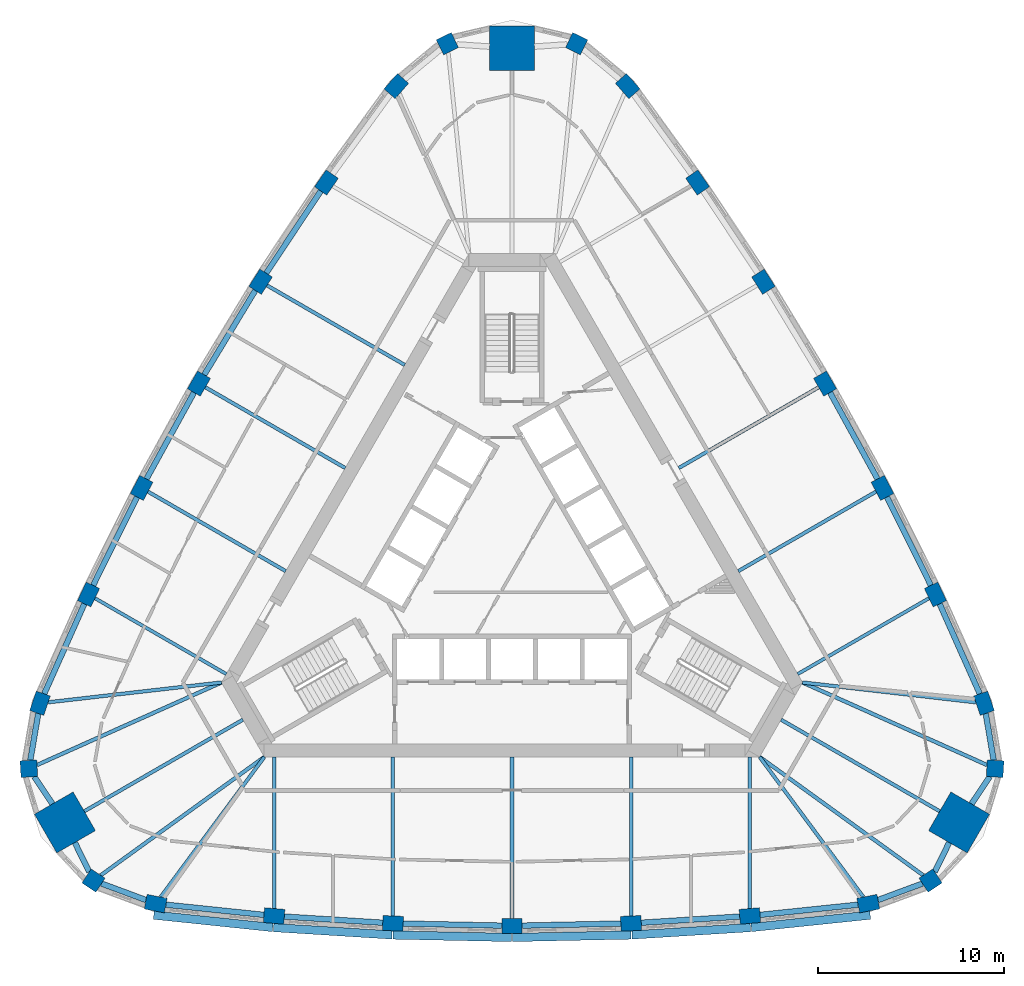
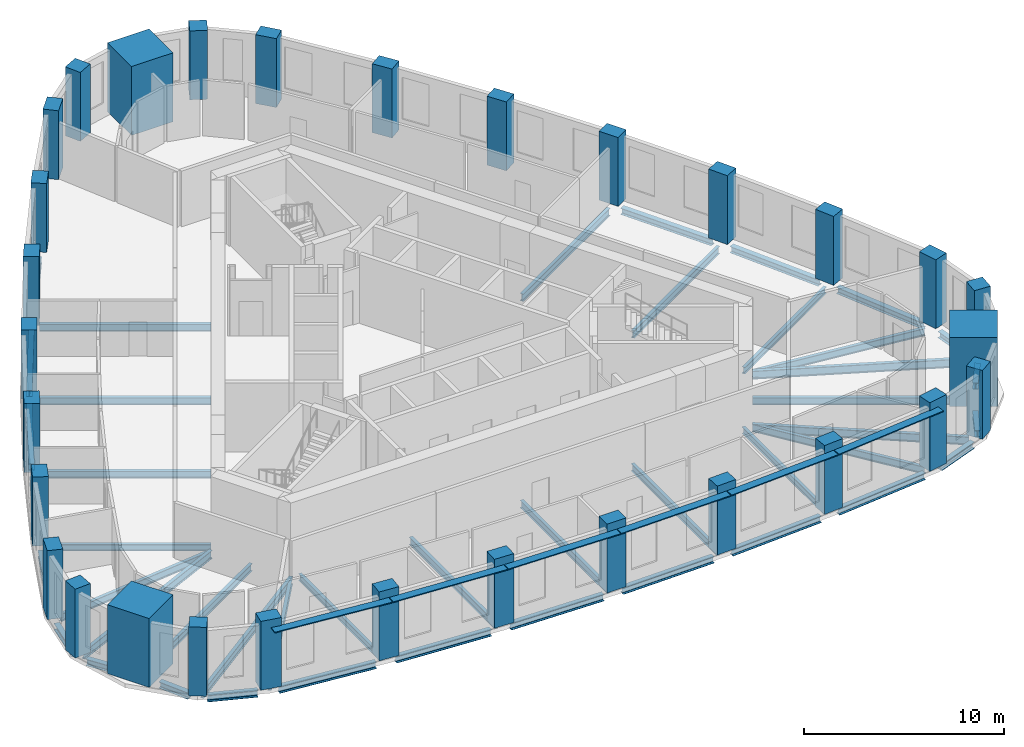
# One storey, part 1 of 11: 44 beams, 30 columns, 6 members.
"""IFC4 building model written with IfcOpenShell, lengths in metres."""

from ifc_helpers import new_model, si_unit, direction, frame, origin, origin_2d, place, context, subcontext, project, spatial, rectangle, i_section, extrude, material, material_profile, profile_set, type_object, element, save


model = new_model("IFC4")

# Units and contexts
model_context = context("Model", 3, precision=1e-05, world=origin(), true_north=direction((0.0, 1.0)))
body_context = subcontext(model_context, "Body", "Model", "MODEL_VIEW")
ifc_project = project(units=[si_unit("LENGTHUNIT", "METRE"), si_unit("AREAUNIT", "SQUARE_METRE"), si_unit("VOLUMEUNIT", "CUBIC_METRE"), si_unit("PLANEANGLEUNIT", "RADIAN"), si_unit("MASSUNIT", "GRAM", prefix="KILO")], contexts=[model_context])

# Site, building, storey
site_placement = place(None, origin())
site = spatial("IfcSite", under=ifc_project, at=site_placement, CompositionType="ELEMENT")
building_placement = place(site_placement, origin())
building = spatial("IfcBuilding", under=site, at=building_placement, Name="Mestral Congress Tower", CompositionType="ELEMENT")
storey_placement = place(building_placement, frame((0.0, 0.0, 252.0)))
storey = spatial("IfcBuildingStorey", under=building, at=storey_placement, Name="L59", CompositionType="ELEMENT", Elevation=252.0)

# Columns
ifc_material_1 = material(Name="Concrete C60/75", Category="concrete")
ifc_material_profile_1 = material_profile(ifc_material_1, rectangle(XDim=1.10009765625, YDim=0.800048828125, at=origin_2d()), Name="RC 1100x800")
ifc_profile_set_1 = profile_set([ifc_material_profile_1], Name="Concrete C60/75")
column_type_1 = type_object("IfcColumnType", Name="Column RC 1100x800 C60/75", PredefinedType="COLUMN", material=ifc_profile_set_1)
for number, where, z_axis, x_axis, name in (
    (1, (-19.150390625, -18.23681640625, 0.0), (0.0, 0.0, 1.0), (0.981324571854, -0.192359259395, 0.0), "COL-L59-C4-S00"),
    (2, (-12.785400390625, -18.899658203125, 0.0), (0.0, 0.0, 1.0), (0.996556680667, -0.082914306473, 0.0), "COL-L59-C4-S01"),
    (3, (-6.398193359375, -19.2978515625, 0.0), (0.0, 0.0, 1.0), (0.999138835542, -0.041492015025, 0.0), "COL-L59-C4-S02"),
    (4, (0.0, -19.4306640625, 0.0), (0.0, 0.0, 1.0), (1.0, 0.0, 0.0), "COL-L59-C4-S03"),
    (5, (6.398193359375, -19.2978515625, 0.0), (0.0, 0.0, 1.0), (0.999138835542, 0.041492015025, 0.0), "COL-L59-C4-S04"),
    (6, (12.785400390625, -18.899658203125, 0.0), (0.0, 0.0, 1.0), (0.996556680667, 0.082914306473, 0.0), "COL-L59-C4-S05"),
    (7, (19.150390625, -18.23681640625, 0.0), (0.0, 0.0, 1.0), (0.981324571854, 0.192359259395, 0.0), "COL-L59-C4-S06"),
    (8, (25.368896484375, -7.46630859375, 0.0), (0.0, 0.0, 1.0), (-0.324074280638, 0.946031638281, 0.0), "COL-L59-C4-E00"),
    (9, (22.76025390625, -1.62255859375, 0.0), (0.0, 0.0, 1.0), (-0.426472444591, 0.904500555005, 0.0), "COL-L59-C4-E01"),
    (10, (19.91162109375, 4.10791015625, 0.0), (0.0, 0.0, 1.0), (-0.463636278705, 0.886025621, 0.0), "COL-L59-C4-E02"),
    (11, (16.827392578125, 9.71533203125, 0.0), (0.0, 0.0, 1.0), (-0.5, 0.866025403784, 0.0), "COL-L59-C4-E03"),
    (12, (13.51318359375, 15.18994140625, 0.0), (0.0, 0.0, 1.0), (-0.535502556837, 0.844533605975, 0.0), "COL-L59-C4-E04"),
    (13, (9.974853515625, 20.522216796875, 0.0), (0.0, 0.0, 1.0), (-0.570084236076, 0.821586248532, 0.0), "COL-L59-C4-E05"),
    (14, (6.218505859375, 25.703125, 0.0), (0.0, 0.0, 1.0), (-0.657250291216, 0.753672378886, 0.0), "COL-L59-C4-E06"),
    (15, (-6.218505859375, 25.703125, 0.0), (0.0, 0.0, 1.0), (-0.657250291216, -0.753672378886, 0.0), "COL-L59-C4-W00"),
    (16, (-9.974853515625, 20.522216796875, 0.0), (0.0, 0.0, 1.0), (-0.570084236076, -0.821586248532, 0.0), "COL-L59-C4-W01"),
    (17, (-13.51318359375, 15.18994140625, 0.0), (0.0, 0.0, 1.0), (-0.535502556837, -0.844533605975, 0.0), "COL-L59-C4-W02"),
    (18, (-16.827392578125, 9.71533203125, 0.0), (0.0, 0.0, 1.0), (-0.5, -0.866025403784, 0.0), "COL-L59-C4-W03"),
    (19, (-19.91162109375, 4.10791015625, 0.0), (0.0, 0.0, 1.0), (-0.463636278705, -0.886025621, 0.0), "COL-L59-C4-W04"),
    (20, (-22.76025390625, -1.62255859375, 0.0), (0.0, 0.0, 1.0), (-0.426472444591, -0.904500555005, 0.0), "COL-L59-C4-W05"),
    (21, (-25.368896484375, -7.46630859375, 0.0), (0.0, 0.0, 1.0), (-0.324074280638, -0.946031638281, 0.0), "COL-L59-C4-W06"),
):
    element("IfcColumn", number, at=place(storey_placement, frame(where, z_axis=z_axis, x_axis=x_axis)), inside=storey, type_object=column_type_1, Name=name, PredefinedType="COLUMN", context=body_context, shape_type="SweptSolid", body=[
        extrude(rectangle(XDim=1.10009765625, YDim=0.800048828125, at=origin_2d()), origin(), (0.0, 0.0, 1.0), 4.199951171875),
    ])
ifc_material_profile_2 = material_profile(ifc_material_1, rectangle(XDim=0.89990234375, YDim=0.89990234375, at=origin_2d()), Name="RC 900x900")
ifc_profile_set_2 = profile_set([ifc_material_profile_2], Name="Concrete C60/75")
column_type_2 = type_object("IfcColumnType", Name="Column RC 900x900 C60/75", PredefinedType="COLUMN", material=ifc_profile_set_2)
for number, where, z_axis, x_axis, name in (
    (22, (22.494384765625, -16.99658203125, 0.0), (0.0, 0.0, 1.0), (0.833238868178, 0.552913183563, 0.0), "COL-L59-C4-SE1"),
    (23, (25.966552734375, -10.982421875, 0.0), (0.0, 0.0, 1.0), (0.062217428964, 0.998062619044, 0.0), "COL-L59-C4-SE3"),
    (24, (3.47216796875, 27.97900390625, 0.0), (0.0, 0.0, 1.0), (-0.895456297142, 0.445149435481, 0.0), "COL-L59-C4-N1"),
    (25, (-3.47216796875, 27.97900390625, 0.0), (0.0, 0.0, 1.0), (-0.895456297142, -0.445149435481, 0.0), "COL-L59-C4-N3"),
    (26, (-25.966552734375, -10.982421875, 0.0), (0.0, 0.0, 1.0), (0.062217428964, -0.998062619044, 0.0), "COL-L59-C4-SW1"),
    (27, (-22.494384765625, -16.99658203125, 0.0), (0.0, 0.0, 1.0), (0.833238868178, -0.552913183563, 0.0), "COL-L59-C4-SW3"),
):
    element("IfcColumn", number, at=place(storey_placement, frame(where, z_axis=z_axis, x_axis=x_axis)), inside=storey, type_object=column_type_2, Name=name, PredefinedType="COLUMN", context=body_context, shape_type="SweptSolid", body=[
        extrude(rectangle(XDim=0.89990234375, YDim=0.89990234375, at=origin_2d()), origin(), (0.0, 0.0, 1.0), 4.199951171875),
    ])
ifc_material_2 = material(Name="Concrete C70/85", Category="concrete")
ifc_material_profile_3 = material_profile(ifc_material_2, rectangle(XDim=2.39990234375, YDim=2.39990234375, at=origin_2d()), Name="RC 2400x2400")
ifc_profile_set_3 = profile_set([ifc_material_profile_3], Name="Concrete C70/85")
column_type_3 = type_object("IfcColumnType", Name="Mega column RC 2400x2400 C70/85", PredefinedType="COLUMN", material=ifc_profile_set_3)
for number, where, z_axis, x_axis, name in (
    (28, (24.02734375, -13.872314453125, 0.0), (0.0, 0.0, 1.0), (0.866025403784, -0.5, 0.0), "COL-L59-PY4-SE"),
    (29, (0.0, 27.744384765625, 0.0), (0.0, 0.0, 1.0), (0.0, 1.0, 0.0), "COL-L59-PY4-N"),
    (30, (-24.02734375, -13.872314453125, 0.0), (0.0, 0.0, 1.0), (-0.866025403784, -0.5, 0.0), "COL-L59-PY4-SW"),
):
    element("IfcColumn", number, at=place(storey_placement, frame(where, z_axis=z_axis, x_axis=x_axis)), inside=storey, type_object=column_type_3, Name=name, PredefinedType="COLUMN", context=body_context, shape_type="SweptSolid", body=[
        extrude(rectangle(XDim=2.39990234375, YDim=2.39990234375, at=origin_2d()), origin(), (0.0, 0.0, 1.0), 4.199951171875),
    ])

# Members
ifc_material_3 = material(Name="Glazed ceramic", Category="masonry")
ifc_material_profile_4 = material_profile(ifc_material_3, rectangle(XDim=0.449951171875, YDim=0.06005859375, at=origin_2d()), Name="Ceramic blade 450 x 60")
ifc_profile_set_4 = profile_set([ifc_material_profile_4], Name="Glazed ceramic")
member_type = type_object("IfcMemberType", Name="Facade sunshade blade 450 x 60", PredefinedType="USERDEFINED", material=ifc_profile_set_4)
member_1_placement = place(storey_placement, frame((-19.251708984375, -18.8544921875, 3.679931640625), z_axis=(0.994617919471, -0.103610782581, 0.0), x_axis=(0.103610782581, 0.994617919471, 0.0)))
element("IfcMember", 31, at=member_1_placement, inside=storey, type_object=member_type, Name="Sunshade F0-00", ObjectType="SUNSHADE", PredefinedType="USERDEFINED", context=body_context, shape_type="SweptSolid", body=[
    extrude(rectangle(XDim=0.449951171875, YDim=0.06005859375, at=origin_2d()), origin(), (0.0, 0.0, 1.0), 6.42578125),
])
member_2_placement = place(storey_placement, frame((-12.8134765625, -19.524169921875, 3.679931640625), z_axis=(0.99806373271, -0.062199561482, 0.0), x_axis=(0.062199561482, 0.99806373271, 0.0)))
element("IfcMember", 32, at=member_2_placement, inside=storey, type_object=member_type, Name="Sunshade F0-01", ObjectType="SUNSHADE", PredefinedType="USERDEFINED", context=body_context, shape_type="SweptSolid", body=[
    extrude(rectangle(XDim=0.449951171875, YDim=0.06005859375, at=origin_2d()), origin(), (0.0, 0.0, 1.0), 6.37841796875),
])
for number, where, z_axis, x_axis, name in (
    (33, (-6.400390625, -19.9228515625, 3.679931640625), (0.99978476383, -0.0207467109, 0.0), (0.0207467109, 0.99978476383, 0.0), "Sunshade F0-02"),
    (34, (0.023681640625, -20.05517578125, 3.679931640625), (0.99978476383, 0.0207467109, 0.0), (-0.0207467109, 0.99978476383, 0.0), "Sunshade F0-03"),
):
    element("IfcMember", number, at=place(storey_placement, frame(where, z_axis=z_axis, x_axis=x_axis)), inside=storey, type_object=member_type, Name=name, ObjectType="SUNSHADE", PredefinedType="USERDEFINED", context=body_context, shape_type="SweptSolid", body=[
        extrude(rectangle(XDim=0.449951171875, YDim=0.06005859375, at=origin_2d()), origin(), (0.0, 0.0, 1.0), 6.378173828125),
    ])
member_3_placement = place(storey_placement, frame((6.447509765625, -19.9208984375, 3.679931640625), z_axis=(0.99806373271, 0.062199561482, 0.0), x_axis=(-0.062199561482, 0.99806373271, 0.0)))
element("IfcMember", 35, at=member_3_placement, inside=storey, type_object=member_type, Name="Sunshade F0-04", ObjectType="SUNSHADE", PredefinedType="USERDEFINED", context=body_context, shape_type="SweptSolid", body=[
    extrude(rectangle(XDim=0.449951171875, YDim=0.06005859375, at=origin_2d()), origin(), (0.0, 0.0, 1.0), 6.37841796875),
])
member_4_placement = place(storey_placement, frame((12.860595703125, -19.520263671875, 3.679931640625), z_axis=(0.994617919471, 0.103610782581, 0.0), x_axis=(-0.103610782581, 0.994617919471, 0.0)))
element("IfcMember", 36, at=member_4_placement, inside=storey, type_object=member_type, Name="Sunshade F0-05", ObjectType="SUNSHADE", PredefinedType="USERDEFINED", context=body_context, shape_type="SweptSolid", body=[
    extrude(rectangle(XDim=0.449951171875, YDim=0.06005859375, at=origin_2d()), origin(), (0.0, 0.0, 1.0), 6.42578125),
])

# Beams
ifc_material_4 = material(Name="Steel S355", Category="steel")
ifc_material_profile_5 = material_profile(ifc_material_4, i_section(OverallWidth=0.179931640625, OverallDepth=0.39990234375, WebThickness=0.008544921875, FlangeThickness=0.013427734375, FilletRadius=0.02099609375, at=origin_2d()), Name="IPE 400")
ifc_profile_set_5 = profile_set([ifc_material_profile_5], Name="Steel S355")
beam_type_1 = type_object("IfcBeamType", Name="Floor beam IPE 400 S355", PredefinedType="BEAM", material=ifc_profile_set_5)
for number, where, z_axis, x_axis, name in (
    (37, (-12.785400390625, -18.498291015625, -0.449951171875), (0.0, 1.0, 0.0), (-1.0, 0.0, 0.0), "BM-L59-RB4-S01"),
    (38, (12.785400390625, -18.498291015625, -0.449951171875), (0.0, 1.0, 0.0), (-1.0, 0.0, 0.0), "BM-L59-RB4-S05"),
):
    element("IfcBeam", number, at=place(storey_placement, frame(where, z_axis=z_axis, x_axis=x_axis)), inside=storey, type_object=beam_type_1, Name=name, PredefinedType="BEAM", context=body_context, shape_type="SweptSolid", body=[
        extrude(i_section(OverallWidth=0.179931640625, OverallDepth=0.39990234375, WebThickness=0.008544921875, FlangeThickness=0.013427734375, FilletRadius=0.02099609375, at=origin_2d()), origin(), (0.0, 0.0, 1.0), 8.148193359375),
    ])
for number, where, z_axis, x_axis, name in (
    (39, (22.41259765625, -1.8232421875, -0.449951171875), (-0.866021929094, -0.500006018292, 0.0), (0.500006018292, -0.866021929094, 0.0), "BM-L59-RB4-E01"),
    (40, (-22.41259765625, -1.8232421875, -0.449951171875), (0.866021929094, -0.500006018292, 0.0), (0.500006018292, 0.866021929094, 0.0), "BM-L59-RB4-W05"),
):
    element("IfcBeam", number, at=place(storey_placement, frame(where, z_axis=z_axis, x_axis=x_axis)), inside=storey, type_object=beam_type_1, Name=name, PredefinedType="BEAM", context=body_context, shape_type="SweptSolid", body=[
        extrude(i_section(OverallWidth=0.179931640625, OverallDepth=0.39990234375, WebThickness=0.008544921875, FlangeThickness=0.013427734375, FilletRadius=0.02099609375, at=origin_2d()), origin(), (0.0, 0.0, 1.0), 8.1484375),
    ])
ifc_material_profile_6 = material_profile(ifc_material_4, i_section(OverallWidth=0.18994140625, OverallDepth=0.449951171875, WebThickness=0.009521484375, FlangeThickness=0.0146484375, FilletRadius=0.02099609375, at=origin_2d()), Name="IPE 450")
ifc_profile_set_6 = profile_set([ifc_material_profile_6], Name="Steel S355")
beam_type_2 = type_object("IfcBeamType", Name="Floor beam IPE 450 S355", PredefinedType="BEAM", material=ifc_profile_set_6)
beam_1_placement = place(storey_placement, frame((-18.88671875, -17.880859375, -0.47509765625), z_axis=(0.595263059859, 0.803530888994, 0.0), x_axis=(-0.803530888994, 0.595263059859, 0.0)))
element("IfcBeam", 41, at=beam_1_placement, inside=storey, type_object=beam_type_2, Name="BM-L59-RB4-S00", PredefinedType="BEAM", context=body_context, shape_type="SweptSolid", body=[
    extrude(i_section(OverallWidth=0.18994140625, OverallDepth=0.449951171875, WebThickness=0.009521484375, FlangeThickness=0.0146484375, FilletRadius=0.02099609375, at=origin_2d()), origin(), (0.0, 0.0, 1.0), 9.3720703125),
])
beam_2_placement = place(storey_placement, frame((-6.398193359375, -18.8974609375, -0.47509765625), z_axis=(0.0, 1.0, 0.0), x_axis=(-1.0, 0.0, 0.0)))
element("IfcBeam", 42, at=beam_2_placement, inside=storey, type_object=beam_type_2, Name="BM-L59-RB4-S02", PredefinedType="BEAM", context=body_context, shape_type="SweptSolid", body=[
    extrude(i_section(OverallWidth=0.18994140625, OverallDepth=0.449951171875, WebThickness=0.009521484375, FlangeThickness=0.0146484375, FilletRadius=0.02099609375, at=origin_2d()), origin(), (0.0, 0.0, 1.0), 8.54736328125),
])
beam_3_placement = place(storey_placement, frame((0.0, -19.030517578125, -0.47509765625), z_axis=(0.0, 1.0, 0.0), x_axis=(-1.0, 0.0, 0.0)))
element("IfcBeam", 43, at=beam_3_placement, inside=storey, type_object=beam_type_2, Name="BM-L59-RB4-S03", PredefinedType="BEAM", context=body_context, shape_type="SweptSolid", body=[
    extrude(i_section(OverallWidth=0.18994140625, OverallDepth=0.449951171875, WebThickness=0.009521484375, FlangeThickness=0.0146484375, FilletRadius=0.02099609375, at=origin_2d()), origin(), (0.0, 0.0, 1.0), 8.680419921875),
])
beam_4_placement = place(storey_placement, frame((6.398193359375, -18.8974609375, -0.47509765625), z_axis=(0.0, 1.0, 0.0), x_axis=(-1.0, 0.0, 0.0)))
element("IfcBeam", 44, at=beam_4_placement, inside=storey, type_object=beam_type_2, Name="BM-L59-RB4-S04", PredefinedType="BEAM", context=body_context, shape_type="SweptSolid", body=[
    extrude(i_section(OverallWidth=0.18994140625, OverallDepth=0.449951171875, WebThickness=0.009521484375, FlangeThickness=0.0146484375, FilletRadius=0.02099609375, at=origin_2d()), origin(), (0.0, 0.0, 1.0), 8.54736328125),
])
beam_5_placement = place(storey_placement, frame((18.88671875, -17.880859375, -0.47509765625), z_axis=(-0.595263059859, 0.803530888994, 0.0), x_axis=(-0.803530888994, -0.595263059859, 0.0)))
element("IfcBeam", 45, at=beam_5_placement, inside=storey, type_object=beam_type_2, Name="BM-L59-RB4-S06", PredefinedType="BEAM", context=body_context, shape_type="SweptSolid", body=[
    extrude(i_section(OverallWidth=0.18994140625, OverallDepth=0.449951171875, WebThickness=0.009521484375, FlangeThickness=0.0146484375, FilletRadius=0.02099609375, at=origin_2d()), origin(), (0.0, 0.0, 1.0), 9.3720703125),
])
beam_6_placement = place(storey_placement, frame((22.98828125, -13.272216796875, -0.47509765625), z_axis=(-0.866021631874, 0.500006533084, 0.0), x_axis=(-0.500006533084, -0.866021631874, 0.0)))
element("IfcBeam", 46, at=beam_6_placement, inside=storey, type_object=beam_type_2, Name="BM-L59-RB4-SE", PredefinedType="BEAM", context=body_context, shape_type="SweptSolid", body=[
    extrude(i_section(OverallWidth=0.18994140625, OverallDepth=0.449951171875, WebThickness=0.009521484375, FlangeThickness=0.0146484375, FilletRadius=0.02099609375, at=origin_2d()), origin(), (0.0, 0.0, 1.0), 9.844482421875),
])
beam_7_placement = place(storey_placement, frame((24.9287109375, -7.416015625, -0.47509765625), z_axis=(-0.99351166529, 0.11373025513, 0.0), x_axis=(-0.11373025513, -0.99351166529, 0.0)))
element("IfcBeam", 47, at=beam_7_placement, inside=storey, type_object=beam_type_2, Name="BM-L59-RB4-E00", PredefinedType="BEAM", context=body_context, shape_type="SweptSolid", body=[
    extrude(i_section(OverallWidth=0.18994140625, OverallDepth=0.449951171875, WebThickness=0.009521484375, FlangeThickness=0.0146484375, FilletRadius=0.02099609375, at=origin_2d()), origin(), (0.0, 0.0, 1.0), 9.372314453125),
])
beam_8_placement = place(storey_placement, frame((19.564697265625, 3.90771484375, -0.47509765625), z_axis=(-0.866028621479, -0.499994426748, 0.0), x_axis=(0.499994426748, -0.866028621479, 0.0)))
element("IfcBeam", 48, at=beam_8_placement, inside=storey, type_object=beam_type_2, Name="BM-L59-RB4-E02", PredefinedType="BEAM", context=body_context, shape_type="SweptSolid", body=[
    extrude(i_section(OverallWidth=0.18994140625, OverallDepth=0.449951171875, WebThickness=0.009521484375, FlangeThickness=0.0146484375, FilletRadius=0.02099609375, at=origin_2d()), origin(), (0.0, 0.0, 1.0), 8.54736328125),
])
beam_9_placement = place(storey_placement, frame((16.48095703125, 9.515380859375, -0.47509765625), z_axis=(-0.866022596503, -0.500004862322, 0.0), x_axis=(0.500004862322, -0.866022596503, 0.0)))
element("IfcBeam", 49, at=beam_9_placement, inside=storey, type_object=beam_type_2, Name="BM-L59-RB4-E03", PredefinedType="BEAM", context=body_context, shape_type="SweptSolid", body=[
    extrude(i_section(OverallWidth=0.18994140625, OverallDepth=0.449951171875, WebThickness=0.009521484375, FlangeThickness=0.0146484375, FilletRadius=0.02099609375, at=origin_2d()), origin(), (0.0, 0.0, 1.0), 8.6806640625),
])
beam_10_placement = place(storey_placement, frame((-13.16650390625, 14.98974609375, -0.47509765625), z_axis=(0.866028621479, -0.499994426748, 0.0), x_axis=(0.499994426748, 0.866028621479, 0.0)))
element("IfcBeam", 50, at=beam_10_placement, inside=storey, type_object=beam_type_2, Name="BM-L59-RB4-W02", PredefinedType="BEAM", context=body_context, shape_type="SweptSolid", body=[
    extrude(i_section(OverallWidth=0.18994140625, OverallDepth=0.449951171875, WebThickness=0.009521484375, FlangeThickness=0.0146484375, FilletRadius=0.02099609375, at=origin_2d()), origin(), (0.0, 0.0, 1.0), 8.54736328125),
])
beam_11_placement = place(storey_placement, frame((-16.48095703125, 9.515380859375, -0.47509765625), z_axis=(0.866022596503, -0.500004862322, 0.0), x_axis=(0.500004862322, 0.866022596503, 0.0)))
element("IfcBeam", 51, at=beam_11_placement, inside=storey, type_object=beam_type_2, Name="BM-L59-RB4-W03", PredefinedType="BEAM", context=body_context, shape_type="SweptSolid", body=[
    extrude(i_section(OverallWidth=0.18994140625, OverallDepth=0.449951171875, WebThickness=0.009521484375, FlangeThickness=0.0146484375, FilletRadius=0.02099609375, at=origin_2d()), origin(), (0.0, 0.0, 1.0), 8.6806640625),
])
beam_12_placement = place(storey_placement, frame((-19.564697265625, 3.90771484375, -0.47509765625), z_axis=(0.866028621479, -0.499994426748, 0.0), x_axis=(0.499994426748, 0.866028621479, 0.0)))
element("IfcBeam", 52, at=beam_12_placement, inside=storey, type_object=beam_type_2, Name="BM-L59-RB4-W04", PredefinedType="BEAM", context=body_context, shape_type="SweptSolid", body=[
    extrude(i_section(OverallWidth=0.18994140625, OverallDepth=0.449951171875, WebThickness=0.009521484375, FlangeThickness=0.0146484375, FilletRadius=0.02099609375, at=origin_2d()), origin(), (0.0, 0.0, 1.0), 8.54736328125),
])
beam_13_placement = place(storey_placement, frame((-24.9287109375, -7.416015625, -0.47509765625), z_axis=(0.99351166529, 0.11373025513, 0.0), x_axis=(-0.11373025513, 0.99351166529, 0.0)))
element("IfcBeam", 53, at=beam_13_placement, inside=storey, type_object=beam_type_2, Name="BM-L59-RB4-W06", PredefinedType="BEAM", context=body_context, shape_type="SweptSolid", body=[
    extrude(i_section(OverallWidth=0.18994140625, OverallDepth=0.449951171875, WebThickness=0.009521484375, FlangeThickness=0.0146484375, FilletRadius=0.02099609375, at=origin_2d()), origin(), (0.0, 0.0, 1.0), 9.372314453125),
])
beam_14_placement = place(storey_placement, frame((-22.98828125, -13.272216796875, -0.47509765625), z_axis=(0.866021631874, 0.500006533084, 0.0), x_axis=(-0.500006533084, 0.866021631874, 0.0)))
element("IfcBeam", 54, at=beam_14_placement, inside=storey, type_object=beam_type_2, Name="BM-L59-RB4-SW", PredefinedType="BEAM", context=body_context, shape_type="SweptSolid", body=[
    extrude(i_section(OverallWidth=0.18994140625, OverallDepth=0.449951171875, WebThickness=0.009521484375, FlangeThickness=0.0146484375, FilletRadius=0.02099609375, at=origin_2d()), origin(), (0.0, 0.0, 1.0), 9.844482421875),
])
ifc_material_profile_7 = material_profile(ifc_material_4, i_section(OverallWidth=0.199951171875, OverallDepth=0.5, WebThickness=0.01025390625, FlangeThickness=0.01611328125, FilletRadius=0.02099609375, at=origin_2d()), Name="IPE 500")
ifc_profile_set_7 = profile_set([ifc_material_profile_7], Name="Steel S355")
beam_type_3 = type_object("IfcBeamType", Name="Floor beam IPE 500 S355", PredefinedType="BEAM", material=ifc_profile_set_7)
beam_15_placement = place(storey_placement, frame((22.10498046875, -16.71484375, -0.5), z_axis=(-0.810186242112, 0.586172545496, 0.0), x_axis=(-0.586172545496, -0.810186242112, 0.0)))
element("IfcBeam", 55, at=beam_15_placement, inside=storey, type_object=beam_type_3, Name="BM-L59-RB4-SE1", PredefinedType="BEAM", context=body_context, shape_type="SweptSolid", body=[
    extrude(i_section(OverallWidth=0.199951171875, OverallDepth=0.5, WebThickness=0.01025390625, FlangeThickness=0.01611328125, FilletRadius=0.02099609375, at=origin_2d()), origin(), (0.0, 0.0, 1.0), 10.858154296875),
])
for number, where, z_axis, x_axis, name in (
    (56, (25.528076171875, -10.7861328125, -0.5), (-0.912742142995, 0.408536143323, 0.0), (-0.408536143323, -0.912742142995, 0.0), "BM-L59-RB4-SE3"),
    (57, (-25.528076171875, -10.7861328125, -0.5), (0.912742142995, 0.408536143323, 0.0), (-0.408536143323, 0.912742142995, 0.0), "BM-L59-RB4-SW1"),
):
    element("IfcBeam", number, at=place(storey_placement, frame(where, z_axis=z_axis, x_axis=x_axis)), inside=storey, type_object=beam_type_3, Name=name, PredefinedType="BEAM", context=body_context, shape_type="SweptSolid", body=[
        extrude(i_section(OverallWidth=0.199951171875, OverallDepth=0.5, WebThickness=0.01025390625, FlangeThickness=0.01611328125, FilletRadius=0.02099609375, at=origin_2d()), origin(), (0.0, 0.0, 1.0), 10.8583984375),
    ])
beam_16_placement = place(storey_placement, frame((-22.10498046875, -16.71484375, -0.5), z_axis=(0.810186242112, 0.586172545496, 0.0), x_axis=(-0.586172545496, 0.810186242112, 0.0)))
element("IfcBeam", 58, at=beam_16_placement, inside=storey, type_object=beam_type_3, Name="BM-L59-RB4-SW3", PredefinedType="BEAM", context=body_context, shape_type="SweptSolid", body=[
    extrude(i_section(OverallWidth=0.199951171875, OverallDepth=0.5, WebThickness=0.01025390625, FlangeThickness=0.01611328125, FilletRadius=0.02099609375, at=origin_2d()), origin(), (0.0, 0.0, 1.0), 10.858154296875),
])
ifc_material_profile_8 = material_profile(ifc_material_4, i_section(OverallWidth=0.300048828125, OverallDepth=0.389892578125, WebThickness=0.010986328125, FlangeThickness=0.01904296875, FilletRadius=0.027099609375, at=origin_2d()), Name="HEA 400")
ifc_profile_set_8 = profile_set([ifc_material_profile_8], Name="Steel S355")
beam_type_4 = type_object("IfcBeamType", Name="Spandrel beam HEA 400 S355", PredefinedType="BEAM", material=ifc_profile_set_8)
beam_17_placement = place(storey_placement, frame((-18.60107421875, -18.2939453125, -0.445068359375), z_axis=(0.994618013093, -0.103609883848, 0.0), x_axis=(0.103609883848, 0.994618013093, 0.0)))
element("IfcBeam", 59, at=beam_17_placement, inside=storey, type_object=beam_type_4, Name="SP-L59-SB4-S00", PredefinedType="BEAM", context=body_context, shape_type="SweptSolid", body=[
    extrude(i_section(OverallWidth=0.300048828125, OverallDepth=0.389892578125, WebThickness=0.010986328125, FlangeThickness=0.01904296875, FilletRadius=0.027099609375, at=origin_2d()), origin(), (0.0, 0.0, 1.0), 5.297119140625),
])
for number, where, z_axis, x_axis, name in (
    (60, (-12.236328125, -18.933837890625, -0.445068359375), (0.998061173507, -0.062240613248, 0.0), (0.062240613248, 0.998061173507, 0.0), "SP-L59-SB4-S01"),
    (61, (-5.84814453125, -19.309326171875, -0.445068359375), (0.999785070758, -0.020731914743, 0.0), (0.020731914743, 0.999785070758, 0.0), "SP-L59-SB4-S02"),
    (62, (0.550048828125, -19.419189453125, -0.445068359375), (0.999785070758, 0.020731914743, 0.0), (-0.020731914743, 0.999785070758, 0.0), "SP-L59-SB4-S03"),
    (63, (6.947265625, -19.263671875, -0.445068359375), (0.998061173507, 0.062240613248, 0.0), (-0.062240613248, 0.998061173507, 0.0), "SP-L59-SB4-S04"),
):
    element("IfcBeam", number, at=place(storey_placement, frame(where, z_axis=z_axis, x_axis=x_axis)), inside=storey, type_object=beam_type_4, Name=name, PredefinedType="BEAM", context=body_context, shape_type="SweptSolid", body=[
        extrude(i_section(OverallWidth=0.300048828125, OverallDepth=0.389892578125, WebThickness=0.010986328125, FlangeThickness=0.01904296875, FilletRadius=0.027099609375, at=origin_2d()), origin(), (0.0, 0.0, 1.0), 5.29931640625),
    ])
beam_18_placement = place(storey_placement, frame((13.33251953125, -18.8427734375, -0.445068359375), z_axis=(0.994618013093, 0.103609883848, 0.0), x_axis=(-0.103609883848, 0.994618013093, 0.0)))
element("IfcBeam", 64, at=beam_18_placement, inside=storey, type_object=beam_type_4, Name="SP-L59-SB4-S05", PredefinedType="BEAM", context=body_context, shape_type="SweptSolid", body=[
    extrude(i_section(OverallWidth=0.300048828125, OverallDepth=0.389892578125, WebThickness=0.010986328125, FlangeThickness=0.01904296875, FilletRadius=0.027099609375, at=origin_2d()), origin(), (0.0, 0.0, 1.0), 5.297119140625),
])
beam_19_placement = place(storey_placement, frame((19.6728515625, -18.04296875, -0.445068359375), z_axis=(0.937591421971, 0.347738875374, 0.0), x_axis=(-0.347738875374, 0.937591421971, 0.0)))
element("IfcBeam", 65, at=beam_19_placement, inside=storey, type_object=beam_type_4, Name="SP-L59-SB4-S06", PredefinedType="BEAM", context=body_context, shape_type="SweptSolid", body=[
    extrude(i_section(OverallWidth=0.300048828125, OverallDepth=0.389892578125, WebThickness=0.010986328125, FlangeThickness=0.01904296875, FilletRadius=0.027099609375, at=origin_2d()), origin(), (0.0, 0.0, 1.0), 2.547119140625),
])
for number, where, z_axis, x_axis, name in (
    (66, (22.723876953125, -16.528564453125, -0.445068359375), (0.440528581483, 0.897738586058, 0.0), (-0.897738586058, 0.440528581483, 0.0), "SP-L59-SB4-SE1"),
    (67, (24.697509765625, -12.87353515625, -0.445068359375), (0.557295931564, 0.830313943435, 0.0), (-0.830313943435, 0.557295931564, 0.0), "SP-L59-SB4-SE"),
):
    element("IfcBeam", number, at=place(storey_placement, frame(where, z_axis=z_axis, x_axis=x_axis)), inside=storey, type_object=beam_type_4, Name=name, PredefinedType="BEAM", context=body_context, shape_type="SweptSolid", body=[
        extrude(i_section(OverallWidth=0.300048828125, OverallDepth=0.389892578125, WebThickness=0.010986328125, FlangeThickness=0.01904296875, FilletRadius=0.027099609375, at=origin_2d()), origin(), (0.0, 0.0, 1.0), 1.75634765625),
    ])
beam_20_placement = place(storey_placement, frame((25.88916015625, -10.52685546875, -0.445068359375), z_axis=(-0.167630891496, 0.98584982843, 0.0), x_axis=(-0.98584982843, -0.167630891496, 0.0)))
element("IfcBeam", 68, at=beam_20_placement, inside=storey, type_object=beam_type_4, Name="SP-L59-SB4-SE3", PredefinedType="BEAM", context=body_context, shape_type="SweptSolid", body=[
    extrude(i_section(OverallWidth=0.300048828125, OverallDepth=0.389892578125, WebThickness=0.010986328125, FlangeThickness=0.01904296875, FilletRadius=0.027099609375, at=origin_2d()), origin(), (0.0, 0.0, 1.0), 2.54736328125),
])
beam_21_placement = place(storey_placement, frame((25.143798828125, -6.9619140625, -0.445068359375), z_axis=(-0.407626134336, 0.913148911518, 0.0), x_axis=(-0.913148911518, -0.407626134336, 0.0)))
element("IfcBeam", 69, at=beam_21_placement, inside=storey, type_object=beam_type_4, Name="SP-L59-SB4-E00", PredefinedType="BEAM", context=body_context, shape_type="SweptSolid", body=[
    extrude(i_section(OverallWidth=0.300048828125, OverallDepth=0.389892578125, WebThickness=0.010986328125, FlangeThickness=0.01904296875, FilletRadius=0.027099609375, at=origin_2d()), origin(), (0.0, 0.0, 1.0), 5.296875),
])
beam_22_placement = place(storey_placement, frame((22.515380859375, -1.1298828125, -0.445068359375), z_axis=(-0.445148375831, 0.895456823914, 0.0), x_axis=(-0.895456823914, -0.445148375831, 0.0)))
element("IfcBeam", 70, at=beam_22_placement, inside=storey, type_object=beam_type_4, Name="SP-L59-SB4-E01", PredefinedType="BEAM", context=body_context, shape_type="SweptSolid", body=[
    extrude(i_section(OverallWidth=0.300048828125, OverallDepth=0.389892578125, WebThickness=0.010986328125, FlangeThickness=0.01904296875, FilletRadius=0.027099609375, at=origin_2d()), origin(), (0.0, 0.0, 1.0), 5.299072265625),
])
beam_23_placement = place(storey_placement, frame((19.646484375, 4.58984375, -0.445068359375), z_axis=(-0.481918749772, 0.876215908677, 0.0), x_axis=(-0.876215908677, -0.481918749772, 0.0)))
element("IfcBeam", 71, at=beam_23_placement, inside=storey, type_object=beam_type_4, Name="SP-L59-SB4-E02", PredefinedType="BEAM", context=body_context, shape_type="SweptSolid", body=[
    extrude(i_section(OverallWidth=0.300048828125, OverallDepth=0.389892578125, WebThickness=0.010986328125, FlangeThickness=0.01904296875, FilletRadius=0.027099609375, at=origin_2d()), origin(), (0.0, 0.0, 1.0), 5.299560546875),
])
for number, where, z_axis, x_axis, name in (
    (72, (-10.279052734375, 20.063720703125, -0.445068359375), (-0.552934106774, -0.833224983762, 0.0), (0.833224983762, -0.552934106774, 0.0), "SP-L59-SB4-W01"),
    (73, (-13.798095703125, 14.71923828125, -0.445068359375), (-0.517865676042, -0.855461946306, 0.0), (0.855461946306, -0.517865676042, 0.0), "SP-L59-SB4-W02"),
):
    element("IfcBeam", number, at=place(storey_placement, frame(where, z_axis=z_axis, x_axis=x_axis)), inside=storey, type_object=beam_type_4, Name=name, PredefinedType="BEAM", context=body_context, shape_type="SweptSolid", body=[
        extrude(i_section(OverallWidth=0.300048828125, OverallDepth=0.389892578125, WebThickness=0.010986328125, FlangeThickness=0.01904296875, FilletRadius=0.027099609375, at=origin_2d()), origin(), (0.0, 0.0, 1.0), 5.29931640625),
    ])
beam_24_placement = place(storey_placement, frame((-17.092529296875, 9.2333984375, -0.445068359375), z_axis=(-0.481918749772, -0.876215908677, 0.0), x_axis=(0.876215908677, -0.481918749772, 0.0)))
element("IfcBeam", 74, at=beam_24_placement, inside=storey, type_object=beam_type_4, Name="SP-L59-SB4-W03", PredefinedType="BEAM", context=body_context, shape_type="SweptSolid", body=[
    extrude(i_section(OverallWidth=0.300048828125, OverallDepth=0.389892578125, WebThickness=0.010986328125, FlangeThickness=0.01904296875, FilletRadius=0.027099609375, at=origin_2d()), origin(), (0.0, 0.0, 1.0), 5.299560546875),
])
beam_25_placement = place(storey_placement, frame((-20.156494140625, 3.615234375, -0.445068359375), z_axis=(-0.445148375831, -0.895456823914, 0.0), x_axis=(0.895456823914, -0.445148375831, 0.0)))
element("IfcBeam", 75, at=beam_25_placement, inside=storey, type_object=beam_type_4, Name="SP-L59-SB4-W04", PredefinedType="BEAM", context=body_context, shape_type="SweptSolid", body=[
    extrude(i_section(OverallWidth=0.300048828125, OverallDepth=0.389892578125, WebThickness=0.010986328125, FlangeThickness=0.01904296875, FilletRadius=0.027099609375, at=origin_2d()), origin(), (0.0, 0.0, 1.0), 5.299072265625),
])
beam_26_placement = place(storey_placement, frame((-22.984619140625, -2.125, -0.445068359375), z_axis=(-0.407626134336, -0.913148911518, 0.0), x_axis=(0.913148911518, -0.407626134336, 0.0)))
element("IfcBeam", 76, at=beam_26_placement, inside=storey, type_object=beam_type_4, Name="SP-L59-SB4-W05", PredefinedType="BEAM", context=body_context, shape_type="SweptSolid", body=[
    extrude(i_section(OverallWidth=0.300048828125, OverallDepth=0.389892578125, WebThickness=0.010986328125, FlangeThickness=0.01904296875, FilletRadius=0.027099609375, at=origin_2d()), origin(), (0.0, 0.0, 1.0), 5.296875),
])
beam_27_placement = place(storey_placement, frame((-25.462158203125, -8.015625, -0.445068359375), z_axis=(-0.167630891496, -0.98584982843, 0.0), x_axis=(0.98584982843, -0.167630891496, 0.0)))
element("IfcBeam", 77, at=beam_27_placement, inside=storey, type_object=beam_type_4, Name="SP-L59-SB4-W06", PredefinedType="BEAM", context=body_context, shape_type="SweptSolid", body=[
    extrude(i_section(OverallWidth=0.300048828125, OverallDepth=0.389892578125, WebThickness=0.010986328125, FlangeThickness=0.01904296875, FilletRadius=0.027099609375, at=origin_2d()), origin(), (0.0, 0.0, 1.0), 2.54736328125),
])
for number, where, z_axis, x_axis, name in (
    (78, (-25.67626953125, -11.415283203125, -0.445068359375), (0.557295931564, -0.830313943435, 0.0), (0.830313943435, 0.557295931564, 0.0), "SP-L59-SB4-SW1"),
    (79, (-23.49755859375, -14.951904296875, -0.445068359375), (0.440528581483, -0.897738586058, 0.0), (0.897738586058, 0.440528581483, 0.0), "SP-L59-SB4-SW"),
):
    element("IfcBeam", number, at=place(storey_placement, frame(where, z_axis=z_axis, x_axis=x_axis)), inside=storey, type_object=beam_type_4, Name=name, PredefinedType="BEAM", context=body_context, shape_type="SweptSolid", body=[
        extrude(i_section(OverallWidth=0.300048828125, OverallDepth=0.389892578125, WebThickness=0.010986328125, FlangeThickness=0.01904296875, FilletRadius=0.027099609375, at=origin_2d()), origin(), (0.0, 0.0, 1.0), 1.75634765625),
    ])
beam_28_placement = place(storey_placement, frame((-22.06103515625, -17.1572265625, -0.445068359375), z_axis=(0.937591421971, -0.347738875374, 0.0), x_axis=(0.347738875374, 0.937591421971, 0.0)))
element("IfcBeam", 80, at=beam_28_placement, inside=storey, type_object=beam_type_4, Name="SP-L59-SB4-SW3", PredefinedType="BEAM", context=body_context, shape_type="SweptSolid", body=[
    extrude(i_section(OverallWidth=0.300048828125, OverallDepth=0.389892578125, WebThickness=0.010986328125, FlangeThickness=0.01904296875, FilletRadius=0.027099609375, at=origin_2d()), origin(), (0.0, 0.0, 1.0), 2.547119140625),
])

save(model, "model.ifc")
